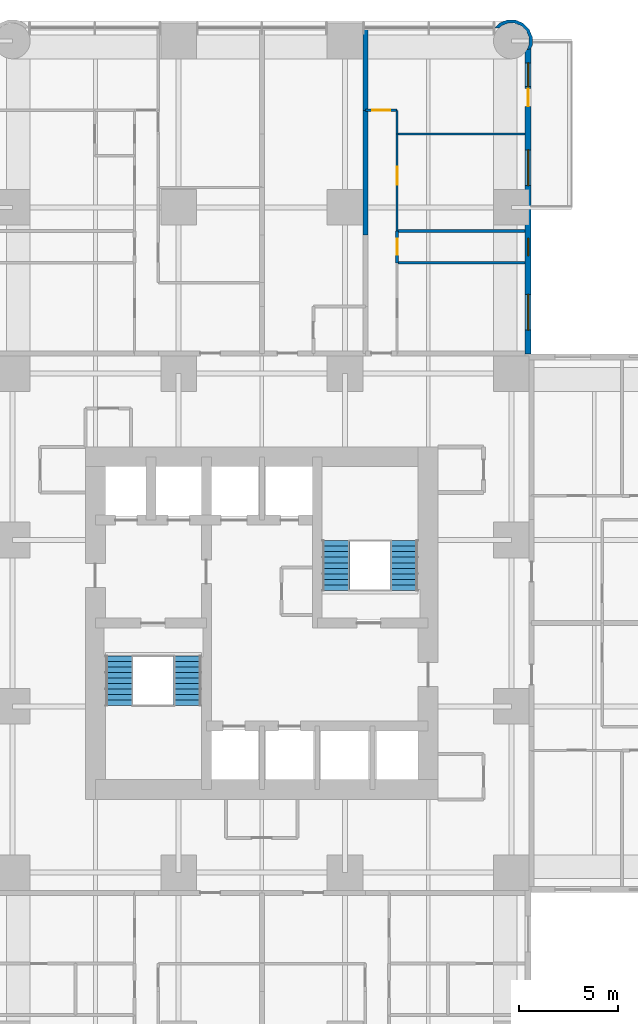
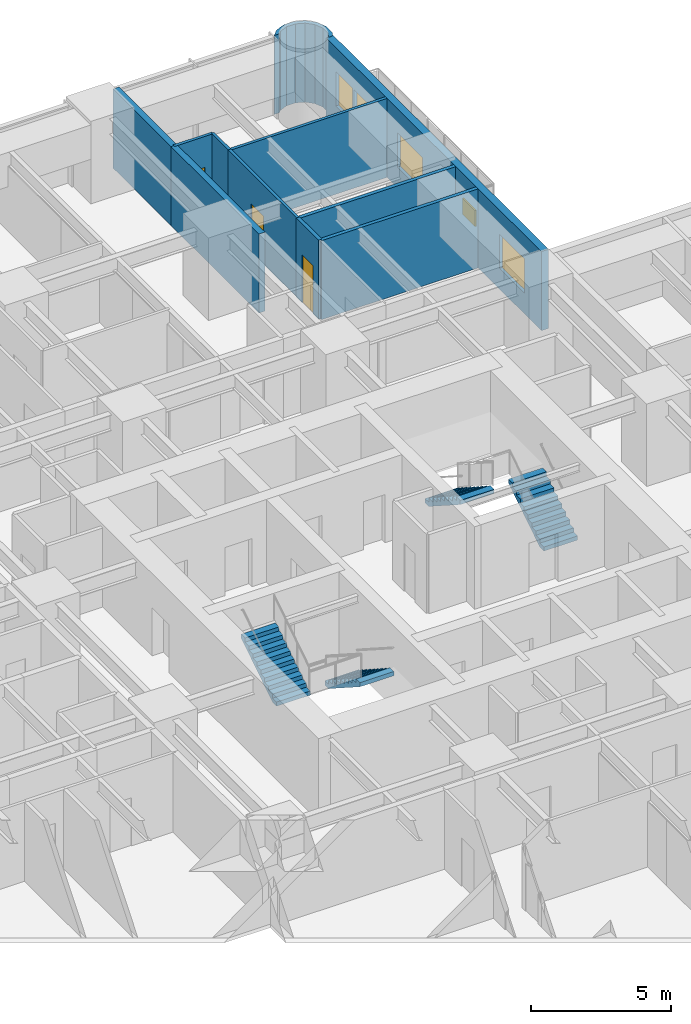
# One storey, part 15 of 17: 11 walls, 4 doors, 4 stair flights, 4 windows, 8 openings, 2 elements without a shape of their own.
"""IFC4 building model written with IfcOpenShell, lengths in metres."""

from ifc_helpers import new_model, si_unit, direction, frame, frame_2d, origin, place, context, subcontext, project, spatial, polyline, rectangle, outline, extrude, material, layer, layer_set, type_object, element, fill, aggregate, save


model = new_model("IFC4")

# Units and contexts
model_context = context("Model", 3, precision=1e-05, world=origin(), true_north=direction((0.0, 1.0)))
body_context = subcontext(model_context, "Body", "Model", "MODEL_VIEW")
ifc_project = project(units=[si_unit("LENGTHUNIT", "METRE"), si_unit("AREAUNIT", "SQUARE_METRE"), si_unit("VOLUMEUNIT", "CUBIC_METRE"), si_unit("PLANEANGLEUNIT", "RADIAN"), si_unit("MASSUNIT", "GRAM", prefix="KILO")], contexts=[model_context])

# Site, building, storey
site_placement = place(None, origin())
site = spatial("IfcSite", under=ifc_project, at=site_placement, CompositionType="ELEMENT")
building_placement = place(site_placement, origin())
building = spatial("IfcBuilding", under=site, at=building_placement, Name="Torre Alcanfor", CompositionType="ELEMENT")
storey_placement = place(building_placement, frame((0.0, 0.0, 66.89990234375)))
storey = spatial("IfcBuildingStorey", under=building, at=storey_placement, Name="L16", CompositionType="ELEMENT", Elevation=66.89990234375)

# Wall, opening, door
ifc_material_1 = material(Name="Gypsum board on steel studs", Category="steel")
ifc_layer_1 = layer(ifc_material_1, 0.1201171875)
ifc_layer_set_1 = layer_set([ifc_layer_1], Name="Apartment partition 120")
wall_type_1 = type_object("IfcWallType", Name="Apartment partition 120", PredefinedType="PARTITIONING", material=ifc_layer_set_1)
wall_1_placement = place(storey_placement, frame((36.22900390625, 54.10009765625, 0.0), z_axis=(0.0, 0.0, 1.0), x_axis=(0.0, -1.0, 0.0)))
wall_1 = element("IfcWall", 1, at=wall_1_placement, inside=storey, type_object=wall_type_1, Name="Partition L16-N2B-HALL / L16-N2B-MASTER", PredefinedType="PARTITIONING", context=body_context, shape_type="SweptSolid", body=[
    extrude(rectangle(XDim=4.900146484375, YDim=0.1201171875, at=frame_2d((2.4501953125, 0.0))), origin(), (0.0, 0.0, 1.0), 3.4501953125),
])
opening_1_placement = place(wall_1_placement, frame((1.64990234375, 0.0, 0.0)))
opening_1 = element("IfcOpeningElement", 2, at=opening_1_placement, cuts=wall_1, Name="Opening D-R1", PredefinedType="OPENING", context=body_context, shape_type="SweptSolid", body=[
    extrude(rectangle(XDim=0.89990234375, YDim=2.10009765625, at=frame_2d((0.449951171875, 1.050048828125))), frame((0.0, 0.070068359375, 0.0), z_axis=(0.0, -1.0, 0.0), x_axis=(1.0, 0.0, 0.0)), (0.0, 0.0, 1.0), 0.14013671875),
])
ifc_material_2 = material(Name="Timber", Category="wood")
door_type_1 = type_object("IfcDoorType", Name="Internal door 900x2100", OperationType="SINGLE_SWING_LEFT", PredefinedType="DOOR", material=ifc_material_2)
door_1_placement = place(opening_1_placement, origin())
door_1 = element("IfcDoor", 3, at=door_1_placement, inside=storey, type_object=door_type_1, Name="Door L16-N2B master", OperationType="SINGLE_SWING_LEFT", OverallHeight=2.10009765625, OverallWidth=0.89990234375, PredefinedType="DOOR", context=body_context, shape_type="SweptSolid", body=[
    extrude(rectangle(XDim=0.89990234375, YDim=2.10009765625, at=frame_2d((0.449951171875, 1.050048828125))), frame((0.0, 0.02490234375, 0.0), z_axis=(0.0, -1.0, 0.0), x_axis=(1.0, 0.0, 0.0)), (0.0, 0.0, 1.0), 0.050048828125),
])
fill(opening_1, door_1)

# Wall
wall_2_placement = place(storey_placement, frame((36.22900390625, 55.300048828125, 0.0), z_axis=(0.0, 0.0, 1.0), x_axis=(0.0, -1.0, 0.0)))
element("IfcWall", 4, at=wall_2_placement, inside=storey, type_object=wall_type_1, Name="Partition L16-N2B-HALL / L16-N2B-KITCHEN", PredefinedType="PARTITIONING", context=body_context, shape_type="SweptSolid", body=[
    extrude(rectangle(XDim=1.199951171875, YDim=0.1201171875, at=frame_2d((0.60009765625, 0.0))), origin(), (0.0, 0.0, 1.0), 3.4501953125),
])

# Wall, opening, door
wall_3_placement = place(storey_placement, frame((34.62890625, 55.300048828125, 0.0), z_axis=(0.0, 0.0, 1.0), x_axis=(1.0, 0.0, 0.0)))
wall_3 = element("IfcWall", 5, at=wall_3_placement, inside=storey, type_object=wall_type_1, Name="Partition L16-N2B-HALL / L16-N2B-LIVING", PredefinedType="PARTITIONING", context=body_context, shape_type="SweptSolid", body=[
    extrude(rectangle(XDim=1.60009765625, YDim=0.1201171875, at=frame_2d((0.800048828125, 0.0))), origin(), (0.0, 0.0, 1.0), 3.4501953125),
])
opening_2_placement = place(wall_3_placement, frame((0.35009765625, 0.0, 0.0)))
opening_2 = element("IfcOpeningElement", 6, at=opening_2_placement, cuts=wall_3, Name="Opening D-R1", PredefinedType="OPENING", context=body_context, shape_type="SweptSolid", body=[
    extrude(rectangle(XDim=0.89990234375, YDim=2.10009765625, at=frame_2d((0.449951171875, 1.050048828125))), frame((0.0, 0.070068359375, 0.0), z_axis=(0.0, -1.0, 0.0), x_axis=(1.0, 0.0, 0.0)), (0.0, 0.0, 1.0), 0.14013671875),
])
door_2_placement = place(opening_2_placement, origin())
door_2 = element("IfcDoor", 7, at=door_2_placement, inside=storey, type_object=door_type_1, Name="Door L16-N2B living", OperationType="SINGLE_SWING_LEFT", OverallHeight=2.10009765625, OverallWidth=0.89990234375, PredefinedType="DOOR", context=body_context, shape_type="SweptSolid", body=[
    extrude(rectangle(XDim=0.89990234375, YDim=2.10009765625, at=frame_2d((0.449951171875, 1.050048828125))), frame((0.0, 0.02490234375, 0.0), z_axis=(0.0, -1.0, 0.0), x_axis=(1.0, 0.0, 0.0)), (0.0, 0.0, 1.0), 0.050048828125),
])
fill(opening_2, door_2)

# Wall
wall_4_placement = place(storey_placement, frame((36.22900390625, 54.10009765625, 0.0), z_axis=(0.0, 0.0, 1.0), x_axis=(1.0, 0.0, 0.0)))
element("IfcWall", 8, at=wall_4_placement, inside=storey, type_object=wall_type_1, Name="Partition L16-N2B-MASTER / L16-N2B-KITCHEN", PredefinedType="PARTITIONING", context=body_context, shape_type="SweptSolid", body=[
    extrude(rectangle(XDim=6.470947265625, YDim=0.1201171875, at=frame_2d((3.2353515625, 0.0))), origin(), (0.0, 0.0, 1.0), 3.4501953125),
])

# Wall, openings, door, windows
ifc_material_3 = material(Name="Limestone cladding", Category="masonry")
ifc_layer_2 = layer(ifc_material_3, 0.0400390625, Name="Facing")
ifc_material_4 = material(Name="Ventilated air cavity")
ifc_layer_3 = layer(ifc_material_4, 0.02001953125, ventilated=True, Name="Ventilated joint")
ifc_material_5 = material(Name="Mineral wool insulation", Category="insulation")
ifc_layer_4 = layer(ifc_material_5, 0.10009765625, Name="Insulation")
ifc_material_6 = material(Name="Concrete f'c 35 MPa", Category="concrete")
ifc_layer_5 = layer(ifc_material_6, 0.139892578125, Name="Backing")
ifc_layer_set_2 = layer_set([ifc_layer_2, ifc_layer_3, ifc_layer_4, ifc_layer_5], Name="External wall stone-clad 300")
wall_type_2 = type_object("IfcWallType", Name="External wall stone-clad 300", PredefinedType="SOLIDWALL", material=ifc_layer_set_2)
wall_5_placement = place(storey_placement, frame((42.85009765625, 43.0, 0.0), z_axis=(0.0, 0.0, 1.0), x_axis=(0.0, 1.0, 0.0)))
wall_5 = element("IfcWall", 9, at=wall_5_placement, inside=storey, type_object=wall_type_2, Name="External wall L16 10", PredefinedType="SOLIDWALL", context=body_context, shape_type="SweptSolid", body=[
    extrude(rectangle(XDim=15.39990234375, YDim=0.300048828125, at=frame_2d((7.699951171875, 0.0))), origin(), (0.0, 0.0, 1.0), 3.4501953125),
])
opening_3_placement = place(wall_5_placement, frame((1.199951171875, 0.0, 0.89990234375)))
opening_3 = element("IfcOpeningElement", 10, at=opening_3_placement, cuts=wall_5, Name="Opening W2", PredefinedType="OPENING", context=body_context, shape_type="SweptSolid", body=[
    extrude(rectangle(XDim=1.800048828125, YDim=1.5, at=frame_2d((0.89990234375, 0.75))), frame((0.0, 0.159912109375, 0.0), z_axis=(0.0, -1.0, 0.0), x_axis=(1.0, 0.0, 0.0)), (0.0, 0.0, 1.0), 0.320068359375),
])
opening_4_placement = place(wall_5_placement, frame((4.949951171875, 0.0, 1.5)))
opening_4 = element("IfcOpeningElement", 11, at=opening_4_placement, cuts=wall_5, Name="Opening W3", PredefinedType="OPENING", context=body_context, shape_type="SweptSolid", body=[
    extrude(rectangle(XDim=0.89990234375, YDim=0.699951171875, at=frame_2d((0.449951171875, 0.35009765625))), frame((0.0, 0.159912109375, 0.0), z_axis=(0.0, -1.0, 0.0), x_axis=(1.0, 0.0, 0.0)), (0.0, 0.0, 1.0), 0.320068359375),
])
opening_5_placement = place(wall_5_placement, frame((8.5, 0.0, 0.89990234375)))
opening_5 = element("IfcOpeningElement", 12, at=opening_5_placement, cuts=wall_5, Name="Opening W2", PredefinedType="OPENING", context=body_context, shape_type="SweptSolid", body=[
    extrude(rectangle(XDim=1.800048828125, YDim=1.5, at=frame_2d((0.89990234375, 0.75))), frame((0.0, 0.159912109375, 0.0), z_axis=(0.0, -1.0, 0.0), x_axis=(1.0, 0.0, 0.0)), (0.0, 0.0, 1.0), 0.320068359375),
])
opening_6_placement = place(wall_5_placement, frame((12.5, 0.0, 0.0)))
opening_6 = element("IfcOpeningElement", 13, at=opening_6_placement, cuts=wall_5, Name="Opening D-B1", PredefinedType="OPENING", context=body_context, shape_type="SweptSolid", body=[
    extrude(rectangle(XDim=0.89990234375, YDim=2.39990234375, at=frame_2d((0.449951171875, 1.199951171875))), frame((0.0, 0.159912109375, 0.0), z_axis=(0.0, -1.0, 0.0), x_axis=(1.0, 0.0, 0.0)), (0.0, 0.0, 1.0), 0.320068359375),
])
opening_7_placement = place(wall_5_placement, frame((13.5, 0.0, 0.89990234375)))
opening_7 = element("IfcOpeningElement", 14, at=opening_7_placement, cuts=wall_5, Name="Opening W4", PredefinedType="OPENING", context=body_context, shape_type="SweptSolid", body=[
    extrude(rectangle(XDim=1.199951171875, YDim=1.5, at=frame_2d((0.60009765625, 0.75))), frame((0.0, 0.159912109375, 0.0), z_axis=(0.0, -1.0, 0.0), x_axis=(1.0, 0.0, 0.0)), (0.0, 0.0, 1.0), 0.320068359375),
])
ifc_material_7 = material(Name="Aluminium and glass", Category="aluminium")
door_type_2 = type_object("IfcDoorType", Name="Balcony door glazed 900x2400", OperationType="SINGLE_SWING_LEFT", PredefinedType="DOOR", material=ifc_material_7)
door_3_placement = place(opening_6_placement, origin())
door_3 = element("IfcDoor", 15, at=door_3_placement, inside=storey, type_object=door_type_2, Name="Balcony door L16-N2", OperationType="SINGLE_SWING_LEFT", OverallHeight=2.39990234375, OverallWidth=0.89990234375, PredefinedType="DOOR", context=body_context, shape_type="SweptSolid", body=[
    extrude(rectangle(XDim=0.89990234375, YDim=2.39990234375, at=frame_2d((0.449951171875, 1.199951171875))), frame((0.0, 0.02490234375, 0.0), z_axis=(0.0, -1.0, 0.0), x_axis=(1.0, 0.0, 0.0)), (0.0, 0.0, 1.0), 0.050048828125),
])
fill(opening_6, door_3)
ifc_material_8 = material(Name="Aluminium frame with clear double glazing", Category="aluminium")
window_type_1 = type_object("IfcWindowType", Name="Window bathroom 900x700", PartitioningType="SINGLE_PANEL", PredefinedType="WINDOW", material=ifc_material_8)
window_1_placement = place(opening_4_placement, origin())
window_1 = element("IfcWindow", 16, at=window_1_placement, inside=storey, type_object=window_type_1, Name="Window W3 L16-N2", OverallHeight=0.699951171875, OverallWidth=0.89990234375, PartitioningType="SINGLE_PANEL", PredefinedType="WINDOW", context=body_context, shape_type="SweptSolid", body=[
    extrude(rectangle(XDim=0.89990234375, YDim=0.699951171875, at=frame_2d((0.449951171875, 0.35009765625))), frame((0.0, 0.030029296875, 0.0), z_axis=(0.0, -1.0, 0.0), x_axis=(1.0, 0.0, 0.0)), (0.0, 0.0, 1.0), 0.06005859375),
])
fill(opening_4, window_1)
ifc_material_9 = material(Name="Aluminium frame with clear double glazing", Category="aluminium")
window_type_2 = type_object("IfcWindowType", Name="Window bedroom 1200x1500", PartitioningType="SINGLE_PANEL", PredefinedType="WINDOW", material=ifc_material_9)
window_2_placement = place(opening_7_placement, origin())
window_2 = element("IfcWindow", 17, at=window_2_placement, inside=storey, type_object=window_type_2, Name="Window W4 L16-N2", OverallHeight=1.5, OverallWidth=1.199951171875, PartitioningType="SINGLE_PANEL", PredefinedType="WINDOW", context=body_context, shape_type="SweptSolid", body=[
    extrude(rectangle(XDim=1.199951171875, YDim=1.5, at=frame_2d((0.60009765625, 0.75))), frame((0.0, 0.030029296875, 0.0), z_axis=(0.0, -1.0, 0.0), x_axis=(1.0, 0.0, 0.0)), (0.0, 0.0, 1.0), 0.06005859375),
])
fill(opening_7, window_2)
ifc_material_10 = material(Name="Aluminium frame with clear double glazing", Category="aluminium")
window_type_3 = type_object("IfcWindowType", Name="Window bedroom 1800x1500", PartitioningType="SINGLE_PANEL", PredefinedType="WINDOW", material=ifc_material_10)
window_3_placement = place(opening_3_placement, origin())
window_3 = element("IfcWindow", 18, at=window_3_placement, inside=storey, type_object=window_type_3, Name="Window W2 L16-N2", OverallHeight=1.5, OverallWidth=1.800048828125, PartitioningType="SINGLE_PANEL", PredefinedType="WINDOW", context=body_context, shape_type="SweptSolid", body=[
    extrude(rectangle(XDim=1.800048828125, YDim=1.5, at=frame_2d((0.89990234375, 0.75))), frame((0.0, 0.030029296875, 0.0), z_axis=(0.0, -1.0, 0.0), x_axis=(1.0, 0.0, 0.0)), (0.0, 0.0, 1.0), 0.06005859375),
])
fill(opening_3, window_3)
window_4_placement = place(opening_5_placement, origin())
window_4 = element("IfcWindow", 19, at=window_4_placement, inside=storey, type_object=window_type_3, Name="Window W2 L16-N2", OverallHeight=1.5, OverallWidth=1.800048828125, PartitioningType="SINGLE_PANEL", PredefinedType="WINDOW", context=body_context, shape_type="SweptSolid", body=[
    extrude(rectangle(XDim=1.800048828125, YDim=1.5, at=frame_2d((0.89990234375, 0.75))), frame((0.0, 0.030029296875, 0.0), z_axis=(0.0, -1.0, 0.0), x_axis=(1.0, 0.0, 0.0)), (0.0, 0.0, 1.0), 0.06005859375),
])
fill(opening_5, window_4)

# Walls
ifc_material_11 = material(Name="Concrete block masonry, hollow blocks NMX-C-404 9 MPa", Category="masonry")
ifc_layer_6 = layer(ifc_material_11, 0.25)
ifc_layer_set_3 = layer_set([ifc_layer_6], Name="Party wall 250 EI 60")
wall_type_3 = type_object("IfcWallType", Name="Party wall 250 EI 60", PredefinedType="PARTITIONING", material=ifc_layer_set_3)
wall_6_placement = place(storey_placement, frame((34.62890625, 55.300048828125, 0.0), z_axis=(0.0, 0.0, 1.0), x_axis=(0.0, -1.0, 0.0)))
element("IfcWall", 20, at=wall_6_placement, inside=storey, type_object=wall_type_3, Name="Partition L16-N2A-STUDIO / L16-N2B-HALL", PredefinedType="PARTITIONING", context=body_context, shape_type="SweptSolid", body=[
    extrude(rectangle(XDim=6.300048828125, YDim=0.25, at=frame_2d((3.14990234375, 0.0))), origin(), (0.0, 0.0, 1.0), 3.4501953125),
])
wall_7_placement = place(storey_placement, frame((34.62890625, 59.449951171875, 0.0), z_axis=(0.0, 0.0, 1.0), x_axis=(0.0, -1.0, 0.0)))
element("IfcWall", 21, at=wall_7_placement, inside=storey, type_object=wall_type_3, Name="Partition L16-N2A-STUDIO / L16-N2B-LIVING", PredefinedType="PARTITIONING", context=body_context, shape_type="SweptSolid", body=[
    extrude(rectangle(XDim=4.14990234375, YDim=0.25, at=frame_2d((2.074951171875, 0.0))), origin(), (0.0, 0.0, 1.0), 3.4501953125),
])
ifc_layer_7 = layer(ifc_material_3, 0.0400390625, Name="Facing")
ifc_layer_8 = layer(ifc_material_4, 0.02001953125, ventilated=True, Name="Ventilated joint")
ifc_layer_9 = layer(ifc_material_5, 0.10009765625, Name="Insulation")
ifc_layer_10 = layer(ifc_material_6, 0.139892578125, Name="Backing")
ifc_layer_set_4 = layer_set([ifc_layer_7, ifc_layer_8, ifc_layer_9, ifc_layer_10], Name="Rounded corner pier stone-clad 300")
wall_type_4 = type_object("IfcWallType", Name="Rounded corner pier stone-clad 300", PredefinedType="SOLIDWALL", material=ifc_layer_set_4)
wall_8_placement = place(storey_placement, frame((42.909907157, 58.436037137, 0.0), z_axis=(0.0, 0.0, 1.0), x_axis=(0.377204953059, 0.926129809145, 0.0)))
element("IfcWall", 22, at=wall_8_placement, inside=storey, type_object=wall_type_4, Name="Corner pier L16 19", PredefinedType="SOLIDWALL", context=body_context, shape_type="SweptSolid", body=[
    extrude(outline(polyline([(0.7691852559267269, 1.7275655888693722), (0.7500837815089341, 1.7226854696447296), (0.5995184426781746, 1.8748886632921522), (0.2945936606603473, 2.0035010026328943), (0.2810273060341947, 1.997975539453316), (0.36031770266114094, 1.803298350568026), (0.5085974876189833, 1.7408474269996308), (0.7606365681954048, 1.4857768783201941), (0.8958262339890831, 1.1538534018003268), (0.8937222712355792, 0.7952725095567933), (0.7546148492098406, 0.46498406151765126), (0.499678315387847, 0.21326317790465843), (0.16775483886797962, 0.07807351211098004), (-0.09987659960761772, 0.07952365190173498), (0.0005179574386563676, -0.09706789048462287), (0.030062934124933945, -0.08028941878374739), (0.19840443706273136, -0.08131937838229769), (0.5888893443854909, 0.07772187013655965), (0.888882191412798, 0.3741551975114527), (1.0524222412975957, 0.7628997957685094), (1.0551270334293679, 1.1847291059055145), (0.8961778759635035, 1.5749879073178383), (0.7777318237989179, 1.6949314401857838), (0.7691852559267269, 1.7275655888693722)])), origin(), (0.0, 0.0, 1.0), 3.4501953125),
])

# Wall, opening, door
ifc_material_12 = material(Name="Cement board on steel studs", Category="steel")
ifc_layer_11 = layer(ifc_material_12, 0.14990234375)
ifc_layer_set_5 = layer_set([ifc_layer_11], Name="Wet area partition 150")
wall_type_5 = type_object("IfcWallType", Name="Wet area partition 150", PredefinedType="PARTITIONING", material=ifc_layer_set_5)
wall_9_placement = place(storey_placement, frame((36.22900390625, 49.199951171875, 0.0), z_axis=(0.0, 0.0, 1.0), x_axis=(0.0, -1.0, 0.0)))
wall_9 = element("IfcWall", 23, at=wall_9_placement, inside=storey, type_object=wall_type_5, Name="Partition L16-N2B-HALL / L16-N2B-BATH", PredefinedType="PARTITIONING", context=body_context, shape_type="SweptSolid", body=[
    extrude(rectangle(XDim=1.599853515625, YDim=0.14990234375, at=frame_2d((0.7998046875, 0.0))), origin(), (0.0, 0.0, 1.0), 3.4501953125),
])
opening_8_placement = place(wall_9_placement, frame((0.39990234375, 0.0, 0.0)))
opening_8 = element("IfcOpeningElement", 24, at=opening_8_placement, cuts=wall_9, Name="Opening D-R2", PredefinedType="OPENING", context=body_context, shape_type="SweptSolid", body=[
    extrude(rectangle(XDim=0.800048828125, YDim=2.10009765625, at=frame_2d((0.39990234375, 1.050048828125))), frame((0.0, 0.0849609375, 0.0), z_axis=(0.0, -1.0, 0.0), x_axis=(1.0, 0.0, 0.0)), (0.0, 0.0, 1.0), 0.169921875),
])
ifc_material_13 = material(Name="Timber", Category="wood")
door_type_3 = type_object("IfcDoorType", Name="Bathroom door 800x2100", OperationType="SINGLE_SWING_LEFT", PredefinedType="DOOR", material=ifc_material_13)
door_4_placement = place(opening_8_placement, origin())
door_4 = element("IfcDoor", 25, at=door_4_placement, inside=storey, type_object=door_type_3, Name="Door L16-N2B bath", OperationType="SINGLE_SWING_LEFT", OverallHeight=2.10009765625, OverallWidth=0.800048828125, PredefinedType="DOOR", context=body_context, shape_type="SweptSolid", body=[
    extrude(rectangle(XDim=0.800048828125, YDim=2.10009765625, at=frame_2d((0.39990234375, 1.050048828125))), frame((0.0, 0.02490234375, 0.0), z_axis=(0.0, -1.0, 0.0), x_axis=(1.0, 0.0, 0.0)), (0.0, 0.0, 1.0), 0.050048828125),
])
fill(opening_8, door_4)

# Walls
for number, where, z_axis, x_axis, name in (
    (26, (36.22900390625, 47.60009765625, 0.0), (0.0, 0.0, 1.0), (1.0, 0.0, 0.0), "Partition L16-N2B-BED2 / L16-N2B-BATH"),
    (27, (36.22900390625, 49.199951171875, 0.0), (0.0, 0.0, 1.0), (1.0, 0.0, 0.0), "Partition L16-N2B-BATH / L16-N2B-MASTER"),
):
    element("IfcWall", number, at=place(storey_placement, frame(where, z_axis=z_axis, x_axis=x_axis)), inside=storey, type_object=wall_type_5, Name=name, PredefinedType="PARTITIONING", context=body_context, shape_type="SweptSolid", body=[
        extrude(rectangle(XDim=6.470947265625, YDim=0.14990234375, at=frame_2d((3.2353515625, 0.0))), origin(), (0.0, 0.0, 1.0), 3.4501953125),
    ])

# Stair, stair flights
ifc_material_14 = material(Name="Concrete f'c 35 MPa", Category="concrete")
stair_type_1 = type_object("IfcStairType", Name="Exit stair S1 1400 wide", PredefinedType="HALF_TURN_STAIR", material=ifc_material_14)
stair_1_placement = place(storey_placement, origin())
stair_1 = element("IfcStair", 28, at=stair_1_placement, inside=storey, type_object=stair_type_1, Name="Stair S1 L16 to L17", PredefinedType="HALF_TURN_STAIR")
ifc_material_15 = material(Name="Concrete f'c 35 MPa", Category="concrete")
stair_flight_type = type_object("IfcStairFlightType", Name="Stair flight 1400", PredefinedType="STRAIGHT", material=ifc_material_15)
stair_flight_1_placement = place(storey_placement, frame((25.64990234375, 27.75, 0.0), z_axis=(0.0, 0.0, 1.0), x_axis=(0.0, -1.0, 0.0)))
stair_flight_1 = element("IfcStairFlight", 29, at=stair_flight_1_placement, type_object=stair_flight_type, Name="S1 flight 1", NumberOfRisers=10, NumberOfTreads=9, PredefinedType="STRAIGHT", RiserHeight=0.18, TreadLength=0.28, context=body_context, shape_type="SweptSolid", body=[
    extrude(outline(polyline([(0.0, 0.0), (0.0, 0.179931640625), (0.280029296875, 0.179931640625), (0.280029296875, 0.360107421875), (0.56005859375, 0.360107421875), (0.56005859375, 0.5400390625), (0.840087890625, 0.5400390625), (0.840087890625, 0.719970703125), (1.1201171875, 0.719970703125), (1.1201171875, 0.89990234375), (1.39990234375, 0.89990234375), (1.39990234375, 1.080078125), (1.679931640625, 1.080078125), (1.679931640625, 1.260009765625), (1.9599609375, 1.260009765625), (1.9599609375, 1.43994140625), (2.239990234375, 1.43994140625), (2.239990234375, 1.6201171875), (2.52001953125, 1.6201171875), (2.52001953125, 1.800048828125), (2.52001953125, 1.44189453125), (0.277099609375, 0.0), (0.0, 0.0)])), frame((0.0, 0.699951171875, 0.0), z_axis=(0.0, -1.0, 0.0), x_axis=(1.0, 0.0, 0.0)), (0.0, 0.0, 1.0), 1.39990234375),
])
stair_flight_2_placement = place(storey_placement, frame((22.199951171875, 25.22998046875, 1.800048828125), z_axis=(0.0, 0.0, 1.0), x_axis=(0.0, 1.0, 0.0)))
stair_flight_2 = element("IfcStairFlight", 30, at=stair_flight_2_placement, type_object=stair_flight_type, Name="S1 flight 2", NumberOfRisers=10, NumberOfTreads=9, PredefinedType="STRAIGHT", RiserHeight=0.18, TreadLength=0.28, context=body_context, shape_type="SweptSolid", body=[
    extrude(outline(polyline([(0.0, 0.0), (0.0, 0.179931640625), (0.280029296875, 0.179931640625), (0.280029296875, 0.360107421875), (0.56005859375, 0.360107421875), (0.56005859375, 0.5400390625), (0.840087890625, 0.5400390625), (0.840087890625, 0.719970703125), (1.1201171875, 0.719970703125), (1.1201171875, 0.89990234375), (1.39990234375, 0.89990234375), (1.39990234375, 1.080078125), (1.679931640625, 1.080078125), (1.679931640625, 1.260009765625), (1.9599609375, 1.260009765625), (1.9599609375, 1.43994140625), (2.239990234375, 1.43994140625), (2.239990234375, 1.6201171875), (2.52001953125, 1.6201171875), (2.52001953125, 1.800048828125), (2.52001953125, 1.44189453125), (0.277099609375, 0.0), (0.0, 0.0)])), frame((0.0, 0.699951171875, 0.0), z_axis=(0.0, -1.0, 0.0), x_axis=(1.0, 0.0, 0.0)), (0.0, 0.0, 1.0), 1.39990234375),
])
aggregate(stair_1, [stair_flight_1, stair_flight_2])

ifc_material_16 = material(Name="Concrete f'c 35 MPa", Category="concrete")
stair_type_2 = type_object("IfcStairType", Name="Exit stair S2 1400 wide", PredefinedType="HALF_TURN_STAIR", material=ifc_material_16)
stair_2_placement = place(storey_placement, origin())
stair_2 = element("IfcStair", 31, at=stair_2_placement, inside=storey, type_object=stair_type_2, Name="Stair S2 L16 to L17", PredefinedType="HALF_TURN_STAIR")
stair_flight_3_placement = place(storey_placement, frame((36.60009765625, 31.050048828125, 0.0), z_axis=(0.0, 0.0, 1.0), x_axis=(0.0, 1.0, 0.0)))
stair_flight_3 = element("IfcStairFlight", 32, at=stair_flight_3_placement, type_object=stair_flight_type, Name="S2 flight 1", NumberOfRisers=10, NumberOfTreads=9, PredefinedType="STRAIGHT", RiserHeight=0.18, TreadLength=0.28, context=body_context, shape_type="SweptSolid", body=[
    extrude(outline(polyline([(0.0, 0.0), (0.0, 0.179931640625), (0.280029296875, 0.179931640625), (0.280029296875, 0.360107421875), (0.56005859375, 0.360107421875), (0.56005859375, 0.5400390625), (0.840087890625, 0.5400390625), (0.840087890625, 0.719970703125), (1.1201171875, 0.719970703125), (1.1201171875, 0.89990234375), (1.39990234375, 0.89990234375), (1.39990234375, 1.080078125), (1.679931640625, 1.080078125), (1.679931640625, 1.260009765625), (1.9599609375, 1.260009765625), (1.9599609375, 1.43994140625), (2.239990234375, 1.43994140625), (2.239990234375, 1.6201171875), (2.52001953125, 1.6201171875), (2.52001953125, 1.800048828125), (2.52001953125, 1.44189453125), (0.277099609375, 0.0), (0.0, 0.0)])), frame((0.0, 0.699951171875, 0.0), z_axis=(0.0, -1.0, 0.0), x_axis=(1.0, 0.0, 0.0)), (0.0, 0.0, 1.0), 1.39990234375),
])
stair_flight_4_placement = place(storey_placement, frame((33.14990234375, 33.570068359375, 1.800048828125), z_axis=(0.0, 0.0, 1.0), x_axis=(0.0, -1.0, 0.0)))
stair_flight_4 = element("IfcStairFlight", 33, at=stair_flight_4_placement, type_object=stair_flight_type, Name="S2 flight 2", NumberOfRisers=10, NumberOfTreads=9, PredefinedType="STRAIGHT", RiserHeight=0.18, TreadLength=0.28, context=body_context, shape_type="SweptSolid", body=[
    extrude(outline(polyline([(0.0, 0.0), (0.0, 0.179931640625), (0.280029296875, 0.179931640625), (0.280029296875, 0.360107421875), (0.56005859375, 0.360107421875), (0.56005859375, 0.5400390625), (0.840087890625, 0.5400390625), (0.840087890625, 0.719970703125), (1.1201171875, 0.719970703125), (1.1201171875, 0.89990234375), (1.39990234375, 0.89990234375), (1.39990234375, 1.080078125), (1.679931640625, 1.080078125), (1.679931640625, 1.260009765625), (1.9599609375, 1.260009765625), (1.9599609375, 1.43994140625), (2.239990234375, 1.43994140625), (2.239990234375, 1.6201171875), (2.52001953125, 1.6201171875), (2.52001953125, 1.800048828125), (2.52001953125, 1.44189453125), (0.277099609375, 0.0), (0.0, 0.0)])), frame((0.0, 0.699951171875, 0.0), z_axis=(0.0, -1.0, 0.0), x_axis=(1.0, 0.0, 0.0)), (0.0, 0.0, 1.0), 1.39990234375),
])
aggregate(stair_2, [stair_flight_3, stair_flight_4])

save(model, "model.ifc")
